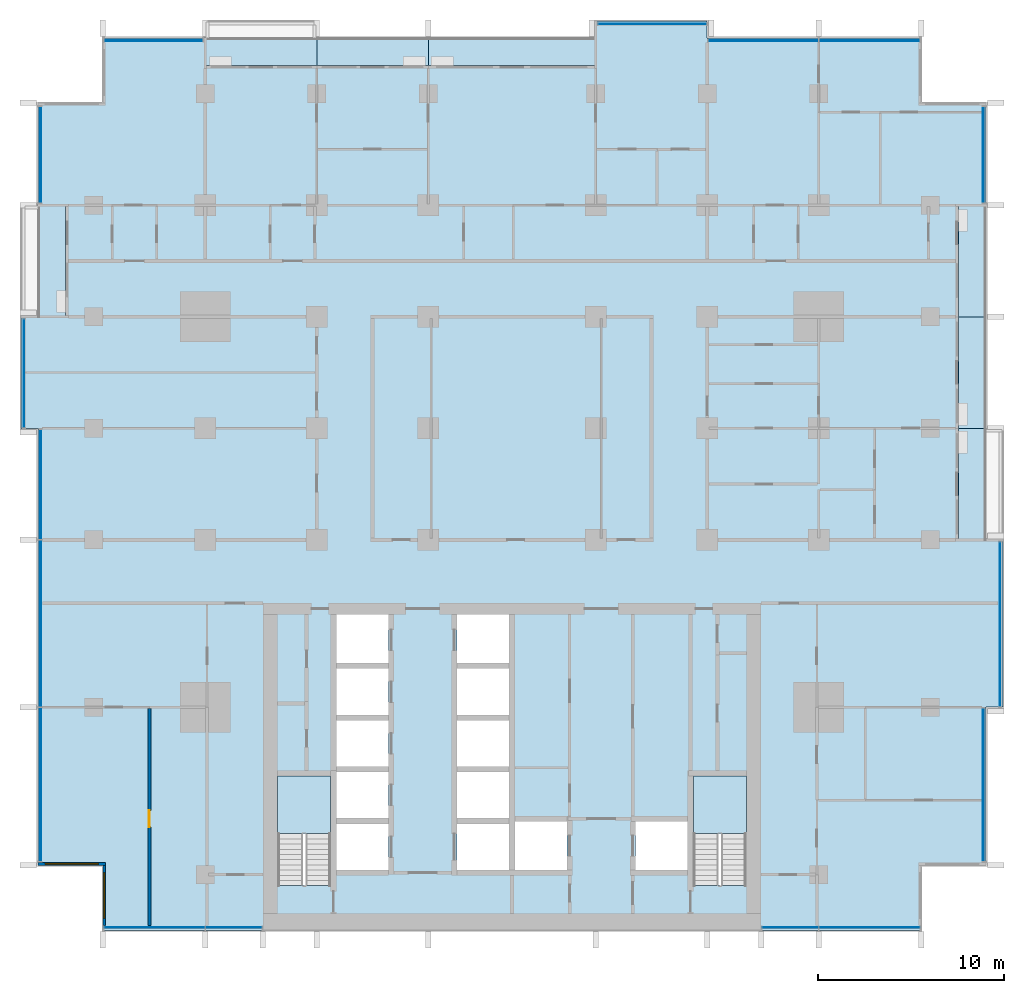
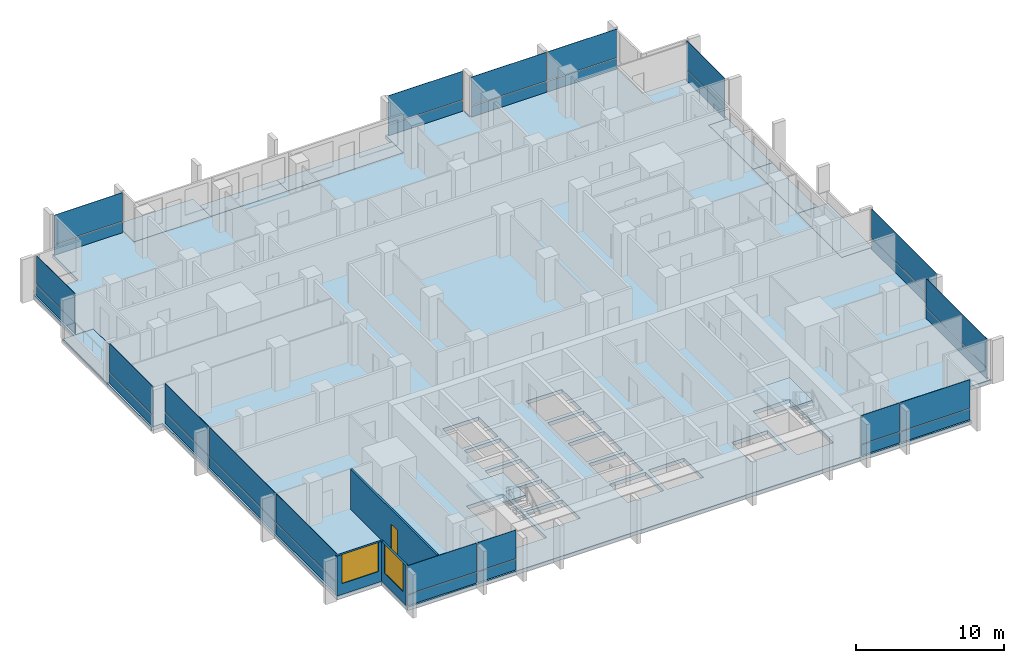
# One storey, part 6 of 17: 32 plates, 10 slabs, 3 walls, 2 windows, 1 door, 3 openings, 13 elements without a shape of their own.
"""IFC4 building model written with IfcOpenShell, lengths in metres."""

from ifc_helpers import new_model, si_unit, direction, frame, frame_2d, origin, origin_2d, place, context, subcontext, project, spatial, polyline, rectangle, outline, extrude, material, layer, layer_set, type_object, element, fill, aggregate, save


model = new_model("IFC4")

# Units and contexts
model_context = context("Model", 3, precision=1e-05, world=origin(), true_north=direction((0.0, 1.0)))
body_context = subcontext(model_context, "Body", "Model", "MODEL_VIEW")
ifc_project = project(units=[si_unit("LENGTHUNIT", "METRE"), si_unit("AREAUNIT", "SQUARE_METRE"), si_unit("VOLUMEUNIT", "CUBIC_METRE"), si_unit("PLANEANGLEUNIT", "RADIAN"), si_unit("MASSUNIT", "GRAM", prefix="KILO")], contexts=[model_context])

# Site, building, storey
site_placement = place(None, origin())
site = spatial("IfcSite", under=ifc_project, at=site_placement, CompositionType="ELEMENT")
building_placement = place(site_placement, origin())
building = spatial("IfcBuilding", under=site, at=building_placement, Name="Finial Court Residences", CompositionType="ELEMENT")
storey_placement = place(building_placement, frame((0.0, 0.0, 95.5)))
storey = spatial("IfcBuildingStorey", under=building, at=storey_placement, Name="L23", CompositionType="ELEMENT", Elevation=95.5)

# Slabs
ifc_material_1 = material(Name="Concrete C35/45", Category="concrete")
ifc_layer_1 = layer(ifc_material_1, 0.199951171875)
ifc_layer_set_1 = layer_set([ifc_layer_1], Name="Balcony slab, Concrete C35/45 200")
slab_type_1 = type_object("IfcSlabType", Name="Balcony slab, Concrete C35/45 200", PredefinedType="FLOOR", material=ifc_layer_set_1)
slab_1_placement = place(storey_placement, frame((0.0, 0.0, -0.199951171875)))
element("IfcSlab", 1, at=slab_1_placement, inside=storey, type_object=slab_type_1, Name="Balcony L23-N2", PredefinedType="FLOOR", context=body_context, shape_type="SweptSolid", body=[
    extrude(outline(polyline([(-16.5, 22.5), (-16.5, 23.39990234375), (-10.5, 23.39990234375), (-10.5, 22.5), (-10.5, 21.0), (-16.5, 21.0), (-16.5, 22.5)])), origin(), (0.0, 0.0, 1.0), 0.199951171875),
])
slab_2_placement = place(storey_placement, frame((0.0, 0.0, -0.199951171875)))
element("IfcSlab", 2, at=slab_2_placement, inside=storey, type_object=slab_type_1, Name="Balcony L23-N3", PredefinedType="FLOOR", context=body_context, shape_type="SweptSolid", body=[
    extrude(outline(polyline([(-4.5, 21.0), (-4.5, 22.5), (-10.5, 22.5), (-10.5, 21.0), (-4.5, 21.0)])), origin(), (0.0, 0.0, 1.0), 0.199951171875),
])
slab_3_placement = place(storey_placement, frame((0.0, 0.0, -0.199951171875)))
element("IfcSlab", 3, at=slab_3_placement, inside=storey, type_object=slab_type_1, Name="Balcony L23-N4", PredefinedType="FLOOR", context=body_context, shape_type="SweptSolid", body=[
    extrude(outline(polyline([(4.5, 21.0), (4.5, 22.5), (-4.5, 22.5), (-4.5, 21.0), (4.5, 21.0)])), origin(), (0.0, 0.0, 1.0), 0.199951171875),
])
slab_4_placement = place(storey_placement, frame((0.0, 0.0, -0.199951171875)))
element("IfcSlab", 4, at=slab_4_placement, inside=storey, type_object=slab_type_1, Name="Balcony L23-E3", PredefinedType="FLOOR", context=body_context, shape_type="SweptSolid", body=[
    extrude(outline(polyline([(24.0, 1.5), (25.5, 1.5), (26.39990234375, 1.5), (26.39990234375, -4.5), (25.5, -4.5), (24.0, -4.5), (24.0, 1.5)])), origin(), (0.0, 0.0, 1.0), 0.199951171875),
])
slab_5_placement = place(storey_placement, frame((0.0, 0.0, -0.199951171875)))
element("IfcSlab", 5, at=slab_5_placement, inside=storey, type_object=slab_type_1, Name="Balcony L23-E4", PredefinedType="FLOOR", context=body_context, shape_type="SweptSolid", body=[
    extrude(outline(polyline([(25.5, 1.5), (25.5, 7.5), (24.0, 7.5), (24.0, 1.5), (25.5, 1.5)])), origin(), (0.0, 0.0, 1.0), 0.199951171875),
])
slab_6_placement = place(storey_placement, frame((0.0, 0.0, -0.199951171875)))
element("IfcSlab", 6, at=slab_6_placement, inside=storey, type_object=slab_type_1, Name="Balcony L23-E5", PredefinedType="FLOOR", context=body_context, shape_type="SweptSolid", body=[
    extrude(outline(polyline([(25.5, 7.5), (25.5, 13.5), (24.0, 13.5), (24.0, 7.5), (25.5, 7.5)])), origin(), (0.0, 0.0, 1.0), 0.199951171875),
])
slab_7_placement = place(storey_placement, frame((0.0, 0.0, -0.199951171875)))
element("IfcSlab", 7, at=slab_7_placement, inside=storey, type_object=slab_type_1, Name="Balcony L23-W5", PredefinedType="FLOOR", context=body_context, shape_type="SweptSolid", body=[
    extrude(outline(polyline([(-26.39990234375, 13.5), (-25.5, 13.5), (-24.0, 13.5), (-24.0, 7.5), (-25.5, 7.5), (-26.39990234375, 7.5), (-26.39990234375, 13.5)])), origin(), (0.0, 0.0, 1.0), 0.199951171875),
])

# Curtain wall, plate
ifc_material_2 = material(Name="Bronze anodised aluminium", Category="aluminium")
curtain_wall_type = type_object("IfcCurtainWallType", Name="Unitised curtain wall, lower and middle zones", PredefinedType="NOTDEFINED", material=ifc_material_2)
curtain_wall_1_placement = place(storey_placement, origin())
curtain_wall_1 = element("IfcCurtainWall", 8, at=curtain_wall_1_placement, inside=storey, type_object=curtain_wall_type, Name="E-L23-CW-N1", PredefinedType="NOTDEFINED")
ifc_layer_2 = layer(ifc_material_2, 0.0400390625)
ifc_layer_set_2 = layer_set([ifc_layer_2], Name="CW1 spandrel panel 40")
plate_type_1 = type_object("IfcPlateType", Name="CW1 spandrel panel 40", PredefinedType="CURTAIN_PANEL", material=ifc_layer_set_2)
plate_1_placement = place(storey_placement, frame((-19.28759765625, 22.35009765625, 0.0), z_axis=(0.0, 0.0, 1.0), x_axis=(1.0, 0.0, 0.0)))
plate_1 = element("IfcPlate", 9, at=plate_1_placement, type_object=plate_type_1, Name="CW1 spandrel 1.1", PredefinedType="CURTAIN_PANEL", context=body_context, shape_type="SweptSolid", body=[
    extrude(rectangle(XDim=5.294921875, YDim=0.0400390625, at=origin_2d()), origin(), (0.0, 0.0, 1.0), 0.867431640625),
])

curtain_wall_2_placement = place(storey_placement, origin())
curtain_wall_2 = element("IfcCurtainWall", 10, at=curtain_wall_2_placement, inside=storey, type_object=curtain_wall_type, Name="E-L23-CW-N2", PredefinedType="NOTDEFINED")
plate_2_placement = place(storey_placement, frame((7.53759765625, 23.25, 0.0), z_axis=(0.0, 0.0, 1.0), x_axis=(1.0, 0.0, 0.0)))
plate_2 = element("IfcPlate", 11, at=plate_2_placement, type_object=plate_type_1, Name="CW1 spandrel 1.1", PredefinedType="CURTAIN_PANEL", context=body_context, shape_type="SweptSolid", body=[
    extrude(rectangle(XDim=5.794921875, YDim=0.0400390625, at=origin_2d()), origin(), (0.0, 0.0, 1.0), 0.867431640625),
])

# Curtain wall, plates
curtain_wall_3_placement = place(storey_placement, origin())
curtain_wall_3 = element("IfcCurtainWall", 12, at=curtain_wall_3_placement, inside=storey, type_object=curtain_wall_type, Name="E-L23-CW-N3", PredefinedType="NOTDEFINED")
plate_3_placement = place(storey_placement, frame((13.516357421875, 22.35009765625, 0.0), z_axis=(0.0, 0.0, 1.0), x_axis=(1.0, 0.0, 0.0)))
plate_3 = element("IfcPlate", 13, at=plate_3_placement, type_object=plate_type_1, Name="CW1 spandrel 1.1", PredefinedType="CURTAIN_PANEL", context=body_context, shape_type="SweptSolid", body=[
    extrude(rectangle(XDim=5.902587890625, YDim=0.0400390625, at=origin_2d()), origin(), (0.0, 0.0, 1.0), 0.867431640625),
])
plate_4_placement = place(storey_placement, frame((19.23388671875, 22.35009765625, 0.0), z_axis=(0.0, 0.0, 1.0), x_axis=(1.0, 0.0, 0.0)))
plate_4 = element("IfcPlate", 14, at=plate_4_placement, type_object=plate_type_1, Name="CW1 spandrel 2.1", PredefinedType="CURTAIN_PANEL", context=body_context, shape_type="SweptSolid", body=[
    extrude(rectangle(XDim=5.402587890625, YDim=0.0400390625, at=origin_2d()), origin(), (0.0, 0.0, 1.0), 0.867431640625),
])

# Curtain wall, plate
curtain_wall_4_placement = place(storey_placement, origin())
curtain_wall_4 = element("IfcCurtainWall", 15, at=curtain_wall_4_placement, inside=storey, type_object=curtain_wall_type, Name="E-L23-CW-E4", PredefinedType="NOTDEFINED")
plate_5_placement = place(storey_placement, frame((25.35009765625, -17.675048828125, 0.0), z_axis=(0.0, 0.0, 1.0), x_axis=(0.0, 1.0, 0.0)))
plate_5 = element("IfcPlate", 16, at=plate_5_placement, type_object=plate_type_1, Name="CW1 spandrel 1.1", PredefinedType="CURTAIN_PANEL", context=body_context, shape_type="SweptSolid", body=[
    extrude(rectangle(XDim=8.219970703125, YDim=0.0400390625, at=origin_2d()), origin(), (0.0, 0.0, 1.0), 0.867431640625),
])

curtain_wall_5_placement = place(storey_placement, origin())
curtain_wall_5 = element("IfcCurtainWall", 17, at=curtain_wall_5_placement, inside=storey, type_object=curtain_wall_type, Name="E-L23-CW-E5", PredefinedType="NOTDEFINED")
plate_6_placement = place(storey_placement, frame((26.25, -9.03759765625, 0.0), z_axis=(0.0, 0.0, 1.0), x_axis=(0.0, 1.0, 0.0)))
plate_6 = element("IfcPlate", 18, at=plate_6_placement, type_object=plate_type_1, Name="CW1 spandrel 1.1", PredefinedType="CURTAIN_PANEL", context=body_context, shape_type="SweptSolid", body=[
    extrude(rectangle(XDim=8.794921875, YDim=0.0400390625, at=origin_2d()), origin(), (0.0, 0.0, 1.0), 0.867431640625),
])

curtain_wall_6_placement = place(storey_placement, origin())
curtain_wall_6 = element("IfcCurtainWall", 19, at=curtain_wall_6_placement, inside=storey, type_object=curtain_wall_type, Name="E-L23-CW-E6", PredefinedType="NOTDEFINED")
plate_7_placement = place(storey_placement, frame((25.35009765625, 16.21240234375, 0.0), z_axis=(0.0, 0.0, 1.0), x_axis=(0.0, 1.0, 0.0)))
plate_7 = element("IfcPlate", 20, at=plate_7_placement, type_object=plate_type_1, Name="CW1 spandrel 1.1", PredefinedType="CURTAIN_PANEL", context=body_context, shape_type="SweptSolid", body=[
    extrude(rectangle(XDim=5.14501953125, YDim=0.0400390625, at=origin_2d()), origin(), (0.0, 0.0, 1.0), 0.867431640625),
])

# Curtain wall, plates
curtain_wall_7_placement = place(storey_placement, origin())
curtain_wall_7 = element("IfcCurtainWall", 21, at=curtain_wall_7_placement, inside=storey, type_object=curtain_wall_type, Name="E-L23-CW-S7", PredefinedType="NOTDEFINED")
plate_8_placement = place(storey_placement, frame((-19.23388671875, -25.35009765625, 0.0), z_axis=(0.0, 0.0, 1.0), x_axis=(1.0, 0.0, 0.0)))
plate_8 = element("IfcPlate", 22, at=plate_8_placement, type_object=plate_type_1, Name="CW1 spandrel 1.1", PredefinedType="CURTAIN_PANEL", context=body_context, shape_type="SweptSolid", body=[
    extrude(rectangle(XDim=5.402587890625, YDim=0.0400390625, at=origin_2d()), origin(), (0.0, 0.0, 1.0), 0.867431640625),
])
plate_9_placement = place(storey_placement, frame((-14.96630859375, -25.35009765625, 0.0), z_axis=(0.0, 0.0, 1.0), x_axis=(1.0, 0.0, 0.0)))
plate_9 = element("IfcPlate", 23, at=plate_9_placement, type_object=plate_type_1, Name="CW1 spandrel 2.1", PredefinedType="CURTAIN_PANEL", context=body_context, shape_type="SweptSolid", body=[
    extrude(rectangle(XDim=3.00244140625, YDim=0.0400390625, at=origin_2d()), origin(), (0.0, 0.0, 1.0), 0.867431640625),
])

curtain_wall_8_placement = place(storey_placement, origin())
curtain_wall_8 = element("IfcCurtainWall", 24, at=curtain_wall_8_placement, inside=storey, type_object=curtain_wall_type, Name="E-L23-CW-S8", PredefinedType="NOTDEFINED")
plate_10_placement = place(storey_placement, frame((14.96630859375, -25.35009765625, 0.0), z_axis=(0.0, 0.0, 1.0), x_axis=(1.0, 0.0, 0.0)))
plate_10 = element("IfcPlate", 25, at=plate_10_placement, type_object=plate_type_1, Name="CW1 spandrel 1.1", PredefinedType="CURTAIN_PANEL", context=body_context, shape_type="SweptSolid", body=[
    extrude(rectangle(XDim=3.00244140625, YDim=0.0400390625, at=origin_2d()), origin(), (0.0, 0.0, 1.0), 0.867431640625),
])
plate_11_placement = place(storey_placement, frame((19.23388671875, -25.35009765625, 0.0), z_axis=(0.0, 0.0, 1.0), x_axis=(1.0, 0.0, 0.0)))
plate_11 = element("IfcPlate", 26, at=plate_11_placement, type_object=plate_type_1, Name="CW1 spandrel 2.1", PredefinedType="CURTAIN_PANEL", context=body_context, shape_type="SweptSolid", body=[
    extrude(rectangle(XDim=5.402587890625, YDim=0.0400390625, at=origin_2d()), origin(), (0.0, 0.0, 1.0), 0.867431640625),
])

curtain_wall_9_placement = place(storey_placement, origin())
curtain_wall_9 = element("IfcCurtainWall", 27, at=curtain_wall_9_placement, inside=storey, type_object=curtain_wall_type, Name="E-L23-CW-W9", PredefinedType="NOTDEFINED")
plate_12_placement = place(storey_placement, frame((-25.35009765625, -17.65869140625, 0.0), z_axis=(0.0, 0.0, 1.0), x_axis=(0.0, 1.0, 0.0)))
plate_12 = element("IfcPlate", 28, at=plate_12_placement, type_object=plate_type_1, Name="CW1 spandrel 1.1", PredefinedType="CURTAIN_PANEL", context=body_context, shape_type="SweptSolid", body=[
    extrude(rectangle(XDim=8.25244140625, YDim=0.0400390625, at=origin_2d()), origin(), (0.0, 0.0, 1.0), 0.867431640625),
])
plate_13_placement = place(storey_placement, frame((-25.35009765625, -9.0, 0.0), z_axis=(0.0, 0.0, 1.0), x_axis=(0.0, 1.0, 0.0)))
plate_13 = element("IfcPlate", 29, at=plate_13_placement, type_object=plate_type_1, Name="CW1 spandrel 2.1", PredefinedType="CURTAIN_PANEL", context=body_context, shape_type="SweptSolid", body=[
    extrude(rectangle(XDim=8.93505859375, YDim=0.0400390625, at=origin_2d()), origin(), (0.0, 0.0, 1.0), 0.867431640625),
])
plate_14_placement = place(storey_placement, frame((-25.35009765625, -1.516357421875, 0.0), z_axis=(0.0, 0.0, 1.0), x_axis=(0.0, 1.0, 0.0)))
plate_14 = element("IfcPlate", 30, at=plate_14_placement, type_object=plate_type_1, Name="CW1 spandrel 3.1", PredefinedType="CURTAIN_PANEL", context=body_context, shape_type="SweptSolid", body=[
    extrude(rectangle(XDim=5.902587890625, YDim=0.0400390625, at=origin_2d()), origin(), (0.0, 0.0, 1.0), 0.867431640625),
])

# Curtain wall, plate
curtain_wall_10_placement = place(storey_placement, origin())
curtain_wall_10 = element("IfcCurtainWall", 31, at=curtain_wall_10_placement, inside=storey, type_object=curtain_wall_type, Name="E-L23-CW-W10", PredefinedType="NOTDEFINED")
plate_15_placement = place(storey_placement, frame((-26.25, 4.46240234375, 0.0), z_axis=(0.0, 0.0, 1.0), x_axis=(0.0, 1.0, 0.0)))
plate_15 = element("IfcPlate", 32, at=plate_15_placement, type_object=plate_type_1, Name="CW1 spandrel 1.1", PredefinedType="CURTAIN_PANEL", context=body_context, shape_type="SweptSolid", body=[
    extrude(rectangle(XDim=5.794921875, YDim=0.0400390625, at=origin_2d()), origin(), (0.0, 0.0, 1.0), 0.867431640625),
])

curtain_wall_11_placement = place(storey_placement, origin())
curtain_wall_11 = element("IfcCurtainWall", 33, at=curtain_wall_11_placement, inside=storey, type_object=curtain_wall_type, Name="E-L23-CW-W11", PredefinedType="NOTDEFINED")
plate_16_placement = place(storey_placement, frame((-25.35009765625, 16.21240234375, 0.0), z_axis=(0.0, 0.0, 1.0), x_axis=(0.0, 1.0, 0.0)))
plate_16 = element("IfcPlate", 34, at=plate_16_placement, type_object=plate_type_1, Name="CW1 spandrel 1.1", PredefinedType="CURTAIN_PANEL", context=body_context, shape_type="SweptSolid", body=[
    extrude(rectangle(XDim=5.14501953125, YDim=0.0400390625, at=origin_2d()), origin(), (0.0, 0.0, 1.0), 0.867431640625),
])

# Plate
ifc_material_3 = material(Name="Clear low-e glass", Category="glass")
ifc_layer_3 = layer(ifc_material_3, 0.031982421875)
ifc_layer_set_3 = layer_set([ifc_layer_3], Name="CW1 vision glass 32")
plate_type_2 = type_object("IfcPlateType", Name="CW1 vision glass 32", PredefinedType="CURTAIN_PANEL", material=ifc_layer_set_3)
plate_17_placement = place(storey_placement, frame((-19.28759765625, 22.35009765625, 0.9326171875), z_axis=(0.0, 0.0, 1.0), x_axis=(1.0, 0.0, 0.0)))
plate_17 = element("IfcPlate", 35, at=plate_17_placement, type_object=plate_type_2, Name="CW1 glass 1.2", PredefinedType="CURTAIN_PANEL", context=body_context, shape_type="SweptSolid", body=[
    extrude(rectangle(XDim=5.294921875, YDim=0.031982421875, at=origin_2d()), origin(), (0.0, 0.0, 1.0), 2.367431640625),
])

aggregate(curtain_wall_1, [plate_1, plate_17])

plate_18_placement = place(storey_placement, frame((7.53759765625, 23.25, 0.9326171875), z_axis=(0.0, 0.0, 1.0), x_axis=(1.0, 0.0, 0.0)))
plate_18 = element("IfcPlate", 36, at=plate_18_placement, type_object=plate_type_2, Name="CW1 glass 1.2", PredefinedType="CURTAIN_PANEL", context=body_context, shape_type="SweptSolid", body=[
    extrude(rectangle(XDim=5.794921875, YDim=0.031982421875, at=origin_2d()), origin(), (0.0, 0.0, 1.0), 2.367431640625),
])

aggregate(curtain_wall_2, [plate_2, plate_18])

plate_19_placement = place(storey_placement, frame((13.516357421875, 22.35009765625, 0.9326171875), z_axis=(0.0, 0.0, 1.0), x_axis=(1.0, 0.0, 0.0)))
plate_19 = element("IfcPlate", 37, at=plate_19_placement, type_object=plate_type_2, Name="CW1 glass 1.2", PredefinedType="CURTAIN_PANEL", context=body_context, shape_type="SweptSolid", body=[
    extrude(rectangle(XDim=5.902587890625, YDim=0.031982421875, at=origin_2d()), origin(), (0.0, 0.0, 1.0), 2.367431640625),
])

plate_20_placement = place(storey_placement, frame((19.23388671875, 22.35009765625, 0.9326171875), z_axis=(0.0, 0.0, 1.0), x_axis=(1.0, 0.0, 0.0)))
plate_20 = element("IfcPlate", 38, at=plate_20_placement, type_object=plate_type_2, Name="CW1 glass 2.2", PredefinedType="CURTAIN_PANEL", context=body_context, shape_type="SweptSolid", body=[
    extrude(rectangle(XDim=5.402587890625, YDim=0.031982421875, at=origin_2d()), origin(), (0.0, 0.0, 1.0), 2.367431640625),
])

aggregate(curtain_wall_3, [plate_3, plate_19, plate_4, plate_20])

plate_21_placement = place(storey_placement, frame((25.35009765625, -17.675048828125, 0.9326171875), z_axis=(0.0, 0.0, 1.0), x_axis=(0.0, 1.0, 0.0)))
plate_21 = element("IfcPlate", 39, at=plate_21_placement, type_object=plate_type_2, Name="CW1 glass 1.2", PredefinedType="CURTAIN_PANEL", context=body_context, shape_type="SweptSolid", body=[
    extrude(rectangle(XDim=8.219970703125, YDim=0.031982421875, at=origin_2d()), origin(), (0.0, 0.0, 1.0), 2.367431640625),
])

aggregate(curtain_wall_4, [plate_5, plate_21])

plate_22_placement = place(storey_placement, frame((26.25, -9.03759765625, 0.9326171875), z_axis=(0.0, 0.0, 1.0), x_axis=(0.0, 1.0, 0.0)))
plate_22 = element("IfcPlate", 40, at=plate_22_placement, type_object=plate_type_2, Name="CW1 glass 1.2", PredefinedType="CURTAIN_PANEL", context=body_context, shape_type="SweptSolid", body=[
    extrude(rectangle(XDim=8.794921875, YDim=0.031982421875, at=origin_2d()), origin(), (0.0, 0.0, 1.0), 2.367431640625),
])

aggregate(curtain_wall_5, [plate_6, plate_22])

plate_23_placement = place(storey_placement, frame((25.35009765625, 16.21240234375, 0.9326171875), z_axis=(0.0, 0.0, 1.0), x_axis=(0.0, 1.0, 0.0)))
plate_23 = element("IfcPlate", 41, at=plate_23_placement, type_object=plate_type_2, Name="CW1 glass 1.2", PredefinedType="CURTAIN_PANEL", context=body_context, shape_type="SweptSolid", body=[
    extrude(rectangle(XDim=5.14501953125, YDim=0.031982421875, at=origin_2d()), origin(), (0.0, 0.0, 1.0), 2.367431640625),
])

aggregate(curtain_wall_6, [plate_7, plate_23])

plate_24_placement = place(storey_placement, frame((-19.23388671875, -25.35009765625, 0.9326171875), z_axis=(0.0, 0.0, 1.0), x_axis=(1.0, 0.0, 0.0)))
plate_24 = element("IfcPlate", 42, at=plate_24_placement, type_object=plate_type_2, Name="CW1 glass 1.2", PredefinedType="CURTAIN_PANEL", context=body_context, shape_type="SweptSolid", body=[
    extrude(rectangle(XDim=5.402587890625, YDim=0.031982421875, at=origin_2d()), origin(), (0.0, 0.0, 1.0), 2.367431640625),
])

plate_25_placement = place(storey_placement, frame((-14.96630859375, -25.35009765625, 0.9326171875), z_axis=(0.0, 0.0, 1.0), x_axis=(1.0, 0.0, 0.0)))
plate_25 = element("IfcPlate", 43, at=plate_25_placement, type_object=plate_type_2, Name="CW1 glass 2.2", PredefinedType="CURTAIN_PANEL", context=body_context, shape_type="SweptSolid", body=[
    extrude(rectangle(XDim=3.00244140625, YDim=0.031982421875, at=origin_2d()), origin(), (0.0, 0.0, 1.0), 2.367431640625),
])

aggregate(curtain_wall_7, [plate_8, plate_24, plate_9, plate_25])

plate_26_placement = place(storey_placement, frame((14.96630859375, -25.35009765625, 0.9326171875), z_axis=(0.0, 0.0, 1.0), x_axis=(1.0, 0.0, 0.0)))
plate_26 = element("IfcPlate", 44, at=plate_26_placement, type_object=plate_type_2, Name="CW1 glass 1.2", PredefinedType="CURTAIN_PANEL", context=body_context, shape_type="SweptSolid", body=[
    extrude(rectangle(XDim=3.00244140625, YDim=0.031982421875, at=origin_2d()), origin(), (0.0, 0.0, 1.0), 2.367431640625),
])

plate_27_placement = place(storey_placement, frame((19.23388671875, -25.35009765625, 0.9326171875), z_axis=(0.0, 0.0, 1.0), x_axis=(1.0, 0.0, 0.0)))
plate_27 = element("IfcPlate", 45, at=plate_27_placement, type_object=plate_type_2, Name="CW1 glass 2.2", PredefinedType="CURTAIN_PANEL", context=body_context, shape_type="SweptSolid", body=[
    extrude(rectangle(XDim=5.402587890625, YDim=0.031982421875, at=origin_2d()), origin(), (0.0, 0.0, 1.0), 2.367431640625),
])

aggregate(curtain_wall_8, [plate_10, plate_26, plate_11, plate_27])

plate_28_placement = place(storey_placement, frame((-25.35009765625, -17.65869140625, 0.9326171875), z_axis=(0.0, 0.0, 1.0), x_axis=(0.0, 1.0, 0.0)))
plate_28 = element("IfcPlate", 46, at=plate_28_placement, type_object=plate_type_2, Name="CW1 glass 1.2", PredefinedType="CURTAIN_PANEL", context=body_context, shape_type="SweptSolid", body=[
    extrude(rectangle(XDim=8.25244140625, YDim=0.031982421875, at=origin_2d()), origin(), (0.0, 0.0, 1.0), 2.367431640625),
])

plate_29_placement = place(storey_placement, frame((-25.35009765625, -9.0, 0.9326171875), z_axis=(0.0, 0.0, 1.0), x_axis=(0.0, 1.0, 0.0)))
plate_29 = element("IfcPlate", 47, at=plate_29_placement, type_object=plate_type_2, Name="CW1 glass 2.2", PredefinedType="CURTAIN_PANEL", context=body_context, shape_type="SweptSolid", body=[
    extrude(rectangle(XDim=8.93505859375, YDim=0.031982421875, at=origin_2d()), origin(), (0.0, 0.0, 1.0), 2.367431640625),
])

plate_30_placement = place(storey_placement, frame((-25.35009765625, -1.516357421875, 0.9326171875), z_axis=(0.0, 0.0, 1.0), x_axis=(0.0, 1.0, 0.0)))
plate_30 = element("IfcPlate", 48, at=plate_30_placement, type_object=plate_type_2, Name="CW1 glass 3.2", PredefinedType="CURTAIN_PANEL", context=body_context, shape_type="SweptSolid", body=[
    extrude(rectangle(XDim=5.902587890625, YDim=0.031982421875, at=origin_2d()), origin(), (0.0, 0.0, 1.0), 2.367431640625),
])

aggregate(curtain_wall_9, [plate_12, plate_28, plate_13, plate_29, plate_14, plate_30])

plate_31_placement = place(storey_placement, frame((-26.25, 4.46240234375, 0.9326171875), z_axis=(0.0, 0.0, 1.0), x_axis=(0.0, 1.0, 0.0)))
plate_31 = element("IfcPlate", 49, at=plate_31_placement, type_object=plate_type_2, Name="CW1 glass 1.2", PredefinedType="CURTAIN_PANEL", context=body_context, shape_type="SweptSolid", body=[
    extrude(rectangle(XDim=5.794921875, YDim=0.031982421875, at=origin_2d()), origin(), (0.0, 0.0, 1.0), 2.367431640625),
])

aggregate(curtain_wall_10, [plate_15, plate_31])

plate_32_placement = place(storey_placement, frame((-25.35009765625, 16.21240234375, 0.9326171875), z_axis=(0.0, 0.0, 1.0), x_axis=(0.0, 1.0, 0.0)))
plate_32 = element("IfcPlate", 50, at=plate_32_placement, type_object=plate_type_2, Name="CW1 glass 1.2", PredefinedType="CURTAIN_PANEL", context=body_context, shape_type="SweptSolid", body=[
    extrude(rectangle(XDim=5.14501953125, YDim=0.031982421875, at=origin_2d()), origin(), (0.0, 0.0, 1.0), 2.367431640625),
])

aggregate(curtain_wall_11, [plate_16, plate_32])

# Stair, slab
ifc_material_4 = material(Name="Concrete C50/60", Category="concrete")
stair_type = type_object("IfcStairType", Name="Exit stair 22 risers of 163.6 mm", PredefinedType="HALF_TURN_STAIR", material=ifc_material_4)
stair_1_placement = place(storey_placement, origin())
stair_1 = element("IfcStair", 51, at=stair_1_placement, inside=storey, type_object=stair_type, Name="L23 Exit stair ST-1", PredefinedType="HALF_TURN_STAIR")
ifc_layer_4 = layer(ifc_material_4, 0.199951171875)
ifc_layer_set_4 = layer_set([ifc_layer_4], Name="Exit stair landing")
slab_type_2 = type_object("IfcSlabType", Name="Exit stair landing", PredefinedType="LANDING", material=ifc_layer_set_4)
slab_8_placement = place(storey_placement, frame((0.0, 0.0, 1.60009765625)))
slab_8 = element("IfcSlab", 52, at=slab_8_placement, type_object=slab_type_2, Name="ST-1 landing 1", PredefinedType="LANDING", context=body_context, shape_type="SweptSolid", body=[
    extrude(outline(polyline([(-9.75, -20.300048828125), (-9.75, -17.199951171875), (-12.60009765625, -17.199951171875), (-12.60009765625, -20.300048828125), (-9.75, -20.300048828125)])), origin(), (0.0, 0.0, 1.0), 0.199951171875),
])
aggregate(stair_1, [slab_8])

stair_2_placement = place(storey_placement, origin())
stair_2 = element("IfcStair", 53, at=stair_2_placement, inside=storey, type_object=stair_type, Name="L23 Exit stair ST-2", PredefinedType="HALF_TURN_STAIR")
slab_9_placement = place(storey_placement, frame((0.0, 0.0, 1.60009765625)))
slab_9 = element("IfcSlab", 54, at=slab_9_placement, type_object=slab_type_2, Name="ST-2 landing 1", PredefinedType="LANDING", context=body_context, shape_type="SweptSolid", body=[
    extrude(outline(polyline([(12.60009765625, -20.300048828125), (12.60009765625, -17.199951171875), (9.75, -17.199951171875), (9.75, -20.300048828125), (12.60009765625, -20.300048828125)])), origin(), (0.0, 0.0, 1.0), 0.199951171875),
])
aggregate(stair_2, [slab_9])

# Slab
ifc_material_5 = material(Name="Concrete C40/50", Category="concrete")
ifc_layer_5 = layer(ifc_material_5, 0.300048828125)
ifc_layer_set_5 = layer_set([ifc_layer_5], Name="Flat plate slab 300 Concrete C40/50")
slab_type_3 = type_object("IfcSlabType", Name="Flat plate slab 300 Concrete C40/50", PredefinedType="FLOOR", material=ifc_layer_set_5)
slab_10_placement = place(storey_placement, frame((0.0, 0.0, -0.300048828125)))
element("IfcSlab", 55, at=slab_10_placement, inside=storey, type_object=slab_type_3, Name="S:SLAB:L23", PredefinedType="FLOOR", context=body_context, shape_type="SweptSolid", body=[
    extrude(outline(polyline([(25.5, -22.0), (22.0, -22.0), (22.0, -25.5), (-22.0, -25.5), (-22.0, -22.0), (-25.5, -22.0), (-25.5, 1.5), (-26.39990234375, 1.5), (-26.39990234375, 7.5), (-25.5, 7.5), (-24.0, 7.5), (-24.0, 13.5), (-25.5, 13.5), (-25.5, 19.0), (-22.0, 19.0), (-22.0, 22.5), (-16.5, 22.5), (-16.5, 21.0), (-10.5, 21.0), (-4.5, 21.0), (4.5, 21.0), (4.5, 22.5), (4.5, 23.39990234375), (10.5, 23.39990234375), (10.5, 22.5), (22.0, 22.5), (22.0, 19.0), (25.5, 19.0), (25.5, 13.5), (24.0, 13.5), (24.0, 7.5), (24.0, 1.5), (24.0, -4.5), (25.5, -4.5), (26.39990234375, -4.5), (26.39990234375, -13.5), (25.5, -13.5), (25.5, -22.0)]), holes=[polyline([(-6.64990234375, -19.77001953125), (-9.449951171875, -19.77001953125), (-9.449951171875, -22.25), (-6.64990234375, -22.25), (-6.64990234375, -19.77001953125)]), polyline([(-9.75, -17.199951171875), (-12.60009765625, -17.199951171875), (-12.60009765625, -23.09912109375), (-9.75, -23.09912109375), (-9.75, -17.199951171875)]), polyline([(-6.64990234375, -19.469970703125), (-6.64990234375, -16.989990234375), (-9.449951171875, -16.989990234375), (-9.449951171875, -19.469970703125), (-6.64990234375, -19.469970703125)]), polyline([(-6.64990234375, -16.68994140625), (-6.64990234375, -14.2099609375), (-9.449951171875, -14.2099609375), (-9.449951171875, -16.68994140625), (-6.64990234375, -16.68994140625)]), polyline([(-6.64990234375, -13.909912109375), (-6.64990234375, -11.429931640625), (-9.449951171875, -11.429931640625), (-9.449951171875, -13.909912109375), (-6.64990234375, -13.909912109375)]), polyline([(-6.64990234375, -11.1298828125), (-6.64990234375, -8.5), (-9.449951171875, -8.5), (-9.449951171875, -11.1298828125), (-6.64990234375, -11.1298828125)]), polyline([(-0.14990234375, -11.1298828125), (-0.14990234375, -8.5), (-2.949951171875, -8.5), (-2.949951171875, -11.1298828125), (-0.14990234375, -11.1298828125)]), polyline([(-0.14990234375, -19.77001953125), (-2.949951171875, -19.77001953125), (-2.949951171875, -22.25), (-0.14990234375, -22.25), (-0.14990234375, -19.77001953125)]), polyline([(2.949951171875, -22.25), (2.949951171875, -19.64990234375), (0.14990234375, -19.64990234375), (0.14990234375, -22.25), (2.949951171875, -22.25)]), polyline([(9.449951171875, -22.25), (9.449951171875, -19.64990234375), (6.64990234375, -19.64990234375), (6.64990234375, -22.25), (9.449951171875, -22.25)]), polyline([(12.60009765625, -17.199951171875), (9.75, -17.199951171875), (9.75, -23.09912109375), (12.60009765625, -23.09912109375), (12.60009765625, -17.199951171875)]), polyline([(-0.14990234375, -19.469970703125), (-0.14990234375, -16.989990234375), (-2.949951171875, -16.989990234375), (-2.949951171875, -19.469970703125), (-0.14990234375, -19.469970703125)]), polyline([(-0.14990234375, -16.68994140625), (-0.14990234375, -14.2099609375), (-2.949951171875, -14.2099609375), (-2.949951171875, -16.68994140625), (-0.14990234375, -16.68994140625)]), polyline([(-0.14990234375, -13.909912109375), (-0.14990234375, -11.429931640625), (-2.949951171875, -11.429931640625), (-2.949951171875, -13.909912109375), (-0.14990234375, -13.909912109375)])]), origin(), (0.0, 0.0, 1.0), 0.300048828125),
])

# Wall, opening, door
ifc_material_6 = material(Name="Moisture-resistant gypsum board")
ifc_layer_6 = layer(ifc_material_6, 0.012451171875)
ifc_material_7 = material(Name="Mineral wool in light-gauge frame")
ifc_layer_7 = layer(ifc_material_7, 0.125)
ifc_layer_8 = layer(ifc_material_6, 0.012451171875)
ifc_layer_set_6 = layer_set([ifc_layer_6, ifc_layer_7, ifc_layer_8], Name="Gypsum board wet-area partition 150")
wall_type_1 = type_object("IfcWallType", Name="Gypsum board wet-area partition 150", PredefinedType="PARTITIONING", material=ifc_layer_set_6)
wall_1_placement = place(storey_placement, frame((-19.5, -25.25, 0.0), z_axis=(0.0, 0.0, 1.0), x_axis=(0.0, 1.0, 0.0)))
wall_1 = element("IfcWall", 56, at=wall_1_placement, inside=storey, type_object=wall_type_1, Name="Partition L23-040", PredefinedType="PARTITIONING", context=body_context, shape_type="SweptSolid", body=[
    extrude(rectangle(XDim=11.675048828125, YDim=0.14990234375, at=frame_2d((5.83740234375, 0.0))), origin(), (0.0, 0.0, 1.0), 3.300048828125),
])
opening_1_placement = place(wall_1_placement, frame((5.300048828125, 0.0, 0.0)))
opening_1 = element("IfcOpeningElement", 57, at=opening_1_placement, cuts=wall_1, Name="Opening L23-D028", PredefinedType="OPENING", context=body_context, shape_type="SweptSolid", body=[
    extrude(rectangle(XDim=0.89990234375, YDim=2.10009765625, at=frame_2d((0.449951171875, 1.050048828125))), frame((0.0, 0.0849609375, 0.0), z_axis=(0.0, -1.0, 0.0), x_axis=(1.0, 0.0, 0.0)), (0.0, 0.0, 1.0), 0.169921875),
])
ifc_material_8 = material(Name="Timber door leaf in timber frame", Category="wood")
door_type = type_object("IfcDoorType", Name="Door set 900 x 2100", OperationType="SINGLE_SWING_LEFT", PredefinedType="DOOR", material=ifc_material_8)
door_placement = place(opening_1_placement, origin())
door = element("IfcDoor", 58, at=door_placement, inside=storey, type_object=door_type, Name="Door L23-D028", OperationType="SINGLE_SWING_LEFT", OverallHeight=2.10009765625, OverallWidth=0.89990234375, PredefinedType="DOOR", context=body_context, shape_type="SweptSolid", body=[
    extrude(rectangle(XDim=0.89990234375, YDim=2.10009765625, at=frame_2d((0.449951171875, 1.050048828125))), frame((0.0, 0.02490234375, 0.0), z_axis=(0.0, -1.0, 0.0), x_axis=(1.0, 0.0, 0.0)), (0.0, 0.0, 1.0), 0.050048828125),
])
fill(opening_1, door)

# Wall, opening, window
ifc_material_9 = material(Name="Natural limestone", Category="masonry")
ifc_layer_9 = layer(ifc_material_9, 0.14990234375)
ifc_layer_set_7 = layer_set([ifc_layer_9], Name="Limestone clad wall 150")
wall_type_2 = type_object("IfcWallType", Name="Limestone clad wall 150", PredefinedType="SOLIDWALL", material=ifc_layer_set_7)
wall_2_placement = place(storey_placement, frame((-21.925048828125, -25.25, 0.0), z_axis=(0.0, 0.0, 1.0), x_axis=(0.0, 1.0, 0.0)))
wall_2 = element("IfcWall", 59, at=wall_2_placement, inside=storey, type_object=wall_type_2, Name="E-L23-NWW12", PredefinedType="SOLIDWALL", context=body_context, shape_type="SweptSolid", body=[
    extrude(rectangle(XDim=3.25, YDim=0.14990234375, at=frame_2d((1.625, 0.0))), origin(), (0.0, 0.0, 1.0), 3.300048828125),
])
opening_2_placement = place(wall_2_placement, frame((0.39990234375, 0.0, 0.89990234375)))
opening_2 = element("IfcOpeningElement", 60, at=opening_2_placement, cuts=wall_2, Name="Opening WE23-01", PredefinedType="OPENING", context=body_context, shape_type="SweptSolid", body=[
    extrude(rectangle(XDim=2.449951171875, YDim=2.39990234375, at=frame_2d((1.22509765625, 1.199951171875))), frame((0.0, 0.0849609375, 0.0), z_axis=(0.0, -1.0, 0.0), x_axis=(1.0, 0.0, 0.0)), (0.0, 0.0, 1.0), 0.169921875),
])
window_type_1 = type_object("IfcWindowType", Name="Corner window 2450 x 2400", PartitioningType="SINGLE_PANEL", PredefinedType="WINDOW", material=ifc_material_3)
window_1_placement = place(opening_2_placement, origin())
window_1 = element("IfcWindow", 61, at=window_1_placement, inside=storey, type_object=window_type_1, Name="E-L23-NWW12-W1", OverallHeight=2.39990234375, OverallWidth=2.449951171875, PartitioningType="SINGLE_PANEL", PredefinedType="WINDOW", context=body_context, shape_type="SweptSolid", body=[
    extrude(rectangle(XDim=2.449951171875, YDim=2.39990234375, at=frame_2d((1.22509765625, 1.199951171875))), frame((0.0, 0.030029296875, 0.0), z_axis=(0.0, -1.0, 0.0), x_axis=(1.0, 0.0, 0.0)), (0.0, 0.0, 1.0), 0.06005859375),
])
fill(opening_2, window_1)

wall_3_placement = place(storey_placement, frame((-21.85009765625, -21.925048828125, 0.0), z_axis=(0.0, 0.0, 1.0), x_axis=(-1.0, 0.0, 0.0)))
wall_3 = element("IfcWall", 62, at=wall_3_placement, inside=storey, type_object=wall_type_2, Name="E-L23-NWS13", PredefinedType="SOLIDWALL", context=body_context, shape_type="SweptSolid", body=[
    extrude(rectangle(XDim=3.64990234375, YDim=0.14990234375, at=frame_2d((1.824951171875, 0.0))), origin(), (0.0, 0.0, 1.0), 3.300048828125),
])
opening_3_placement = place(wall_3_placement, frame((0.39990234375, 0.0, 0.89990234375)))
opening_3 = element("IfcOpeningElement", 63, at=opening_3_placement, cuts=wall_3, Name="Opening WE23-02", PredefinedType="OPENING", context=body_context, shape_type="SweptSolid", body=[
    extrude(rectangle(XDim=2.85009765625, YDim=2.39990234375, at=frame_2d((1.425048828125, 1.199951171875))), frame((0.0, 0.0849609375, 0.0), z_axis=(0.0, -1.0, 0.0), x_axis=(1.0, 0.0, 0.0)), (0.0, 0.0, 1.0), 0.169921875),
])
window_type_2 = type_object("IfcWindowType", Name="Corner window 2850 x 2400", PartitioningType="SINGLE_PANEL", PredefinedType="WINDOW", material=ifc_material_3)
window_2_placement = place(opening_3_placement, origin())
window_2 = element("IfcWindow", 64, at=window_2_placement, inside=storey, type_object=window_type_2, Name="E-L23-NWS13-W1", OverallHeight=2.39990234375, OverallWidth=2.85009765625, PartitioningType="SINGLE_PANEL", PredefinedType="WINDOW", context=body_context, shape_type="SweptSolid", body=[
    extrude(rectangle(XDim=2.85009765625, YDim=2.39990234375, at=frame_2d((1.425048828125, 1.199951171875))), frame((0.0, 0.030029296875, 0.0), z_axis=(0.0, -1.0, 0.0), x_axis=(1.0, 0.0, 0.0)), (0.0, 0.0, 1.0), 0.06005859375),
])
fill(opening_3, window_2)

save(model, "model.ifc")
